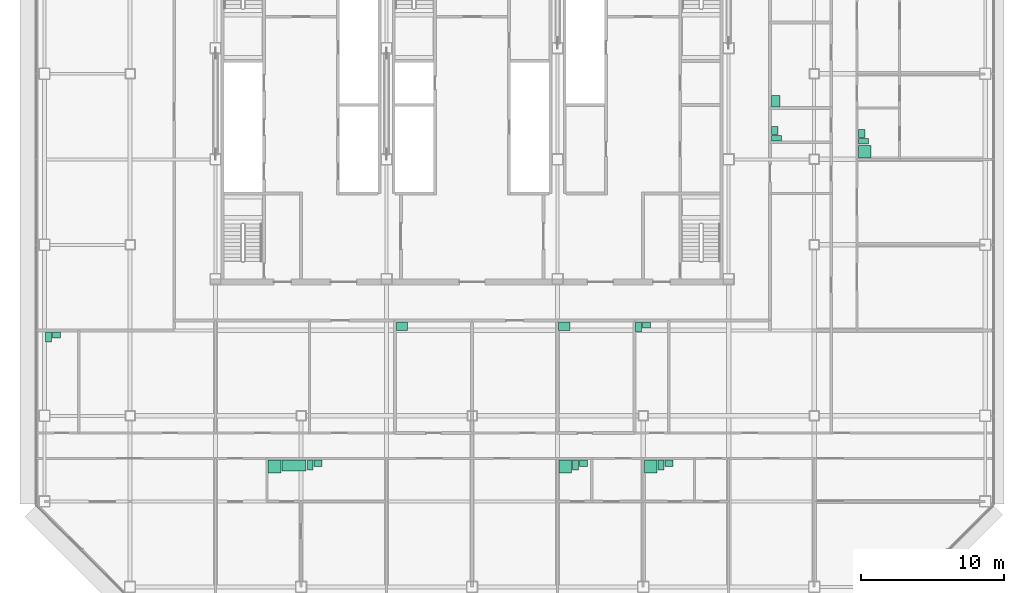
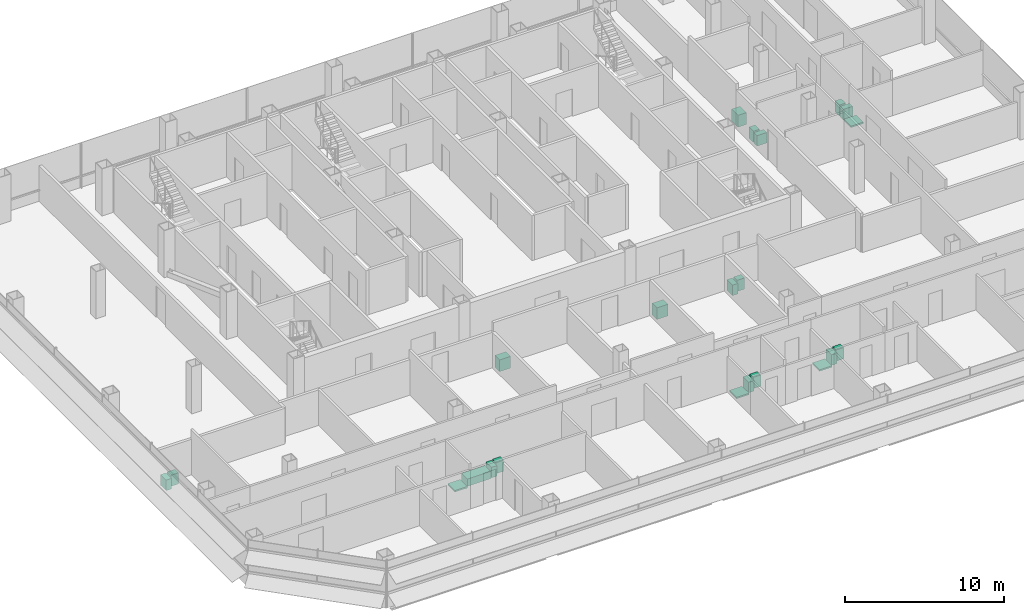
# One storey, part 25 of 25: 22 sanitary terminals.
"""IFC4 building model written with IfcOpenShell, lengths in metres."""

from ifc_helpers import new_model, si_unit, direction, frame, origin, origin_2d, place, context, subcontext, project, spatial, rectangle, extrude, element, save


model = new_model("IFC4")

# Units and contexts
model_context = context("Model", 3, precision=1e-05, world=origin(), true_north=direction((0.0, 1.0)))
body_context = subcontext(model_context, "Body", "Model", "MODEL_VIEW")
ifc_project = project(units=[si_unit("LENGTHUNIT", "METRE"), si_unit("AREAUNIT", "SQUARE_METRE"), si_unit("VOLUMEUNIT", "CUBIC_METRE"), si_unit("PLANEANGLEUNIT", "RADIAN"), si_unit("MASSUNIT", "GRAM", prefix="KILO")], contexts=[model_context])

# Site, building, storey
site_placement = place(None, origin())
site = spatial("IfcSite", under=ifc_project, at=site_placement, CompositionType="ELEMENT")
building_placement = place(site_placement, origin())
building = spatial("IfcBuilding", under=site, at=building_placement, Name="Sorahane Residences", CompositionType="ELEMENT")
storey_placement = place(building_placement, frame((0.0, 0.0, 123.199951171875)))
storey = spatial("IfcBuildingStorey", under=building, at=storey_placement, Name="L27", CompositionType="ELEMENT", Elevation=123.199951171875)

# Sanitary terminals
sanitary_terminal_1_placement = place(storey_placement, frame((10.1298828125, 8.449951171875, 0.0), z_axis=(0.0, 0.0, 1.0), x_axis=(1.0, 0.0, 0.0)))
element("IfcSanitaryTerminal", 1, at=sanitary_terminal_1_placement, inside=storey, Name="Shower tray En-suite bathroom 27A", PredefinedType="SHOWER", context=body_context, shape_type="SweptSolid", body=[
    extrude(rectangle(XDim=0.89990234375, YDim=0.89990234375, at=origin_2d()), origin(), (0.0, 0.0, 1.0), 0.1201171875),
])
sanitary_terminal_2_placement = place(storey_placement, frame((11.510009765625, 8.52490234375, 0.0), z_axis=(0.0, 0.0, 1.0), x_axis=(1.0, 0.0, 0.0)))
element("IfcSanitaryTerminal", 2, at=sanitary_terminal_2_placement, inside=storey, Name="Bath En-suite bathroom 27A", PredefinedType="BATH", context=body_context, shape_type="SweptSolid", body=[
    extrude(rectangle(XDim=1.699951171875, YDim=0.75, at=origin_2d()), origin(), (0.0, 0.0, 1.0), 0.56005859375),
])
sanitary_terminal_3_placement = place(storey_placement, frame((12.639892578125, 8.550048828125, 0.0), z_axis=(0.0, 0.0, 1.0), x_axis=(1.0, 0.0, 0.0)))
element("IfcSanitaryTerminal", 3, at=sanitary_terminal_3_placement, inside=storey, Name="WC pan En-suite bathroom 27A", PredefinedType="TOILETPAN", context=body_context, shape_type="SweptSolid", body=[
    extrude(rectangle(XDim=0.39990234375, YDim=0.699951171875, at=origin_2d()), origin(), (0.0, 0.0, 1.0), 0.800048828125),
])
sanitary_terminal_4_placement = place(storey_placement, frame((13.195068359375, 8.675048828125, 0.0), z_axis=(0.0, 0.0, 1.0), x_axis=(1.0, 0.0, 0.0)))
element("IfcSanitaryTerminal", 4, at=sanitary_terminal_4_placement, inside=storey, Name="Wash basin En-suite bathroom 27A", PredefinedType="WASHHANDBASIN", context=body_context, shape_type="SweptSolid", body=[
    extrude(rectangle(XDim=0.550048828125, YDim=0.449951171875, at=origin_2d()), origin(), (0.0, 0.0, 1.0), 0.85009765625),
])
sanitary_terminal_5_placement = place(storey_placement, frame((-5.719970703125, 17.550048828125, 0.0), z_axis=(0.0, 0.0, 1.0), x_axis=(1.0, 0.0, 0.0)))
element("IfcSanitaryTerminal", 5, at=sanitary_terminal_5_placement, inside=storey, Name="WC pan Powder room 27A", PredefinedType="TOILETPAN", context=body_context, shape_type="SweptSolid", body=[
    extrude(rectangle(XDim=0.39990234375, YDim=0.699951171875, at=origin_2d()), origin(), (0.0, 0.0, 1.0), 0.800048828125),
])
sanitary_terminal_6_placement = place(storey_placement, frame((-5.1650390625, 17.675048828125, 0.0), z_axis=(0.0, 0.0, 1.0), x_axis=(1.0, 0.0, 0.0)))
element("IfcSanitaryTerminal", 6, at=sanitary_terminal_6_placement, inside=storey, Name="Wash basin Powder room 27A", PredefinedType="WASHHANDBASIN", context=body_context, shape_type="SweptSolid", body=[
    extrude(rectangle(XDim=0.550048828125, YDim=0.449951171875, at=origin_2d()), origin(), (0.0, 0.0, 1.0), 0.85009765625),
])
sanitary_terminal_7_placement = place(storey_placement, frame((19.080078125, 18.300048828125, 0.0), z_axis=(0.0, 0.0, 1.0), x_axis=(1.0, 0.0, 0.0)))
element("IfcSanitaryTerminal", 7, at=sanitary_terminal_7_placement, inside=storey, Name="Kitchen sink Kitchen 27A", PredefinedType="SINK", context=body_context, shape_type="SweptSolid", body=[
    extrude(rectangle(XDim=0.800048828125, YDim=0.60009765625, at=origin_2d()), origin(), (0.0, 0.0, 1.0), 0.89990234375),
])
sanitary_terminal_8_placement = place(storey_placement, frame((30.530029296875, 8.449951171875, 0.0), z_axis=(0.0, 0.0, 1.0), x_axis=(1.0, 0.0, 0.0)))
element("IfcSanitaryTerminal", 8, at=sanitary_terminal_8_placement, inside=storey, Name="Shower tray En-suite bathroom 27B", PredefinedType="SHOWER", context=body_context, shape_type="SweptSolid", body=[
    extrude(rectangle(XDim=0.89990234375, YDim=0.89990234375, at=origin_2d()), origin(), (0.0, 0.0, 1.0), 0.1201171875),
])
sanitary_terminal_9_placement = place(storey_placement, frame((31.260009765625, 8.550048828125, 0.0), z_axis=(0.0, 0.0, 1.0), x_axis=(1.0, 0.0, 0.0)))
element("IfcSanitaryTerminal", 9, at=sanitary_terminal_9_placement, inside=storey, Name="WC pan En-suite bathroom 27B", PredefinedType="TOILETPAN", context=body_context, shape_type="SweptSolid", body=[
    extrude(rectangle(XDim=0.39990234375, YDim=0.699951171875, at=origin_2d()), origin(), (0.0, 0.0, 1.0), 0.800048828125),
])
sanitary_terminal_10_placement = place(storey_placement, frame((31.81494140625, 8.675048828125, 0.0), z_axis=(0.0, 0.0, 1.0), x_axis=(1.0, 0.0, 0.0)))
element("IfcSanitaryTerminal", 10, at=sanitary_terminal_10_placement, inside=storey, Name="Wash basin En-suite bathroom 27B", PredefinedType="WASHHANDBASIN", context=body_context, shape_type="SweptSolid", body=[
    extrude(rectangle(XDim=0.550048828125, YDim=0.449951171875, at=origin_2d()), origin(), (0.0, 0.0, 1.0), 0.85009765625),
])
sanitary_terminal_11_placement = place(storey_placement, frame((36.530029296875, 8.449951171875, 0.0), z_axis=(0.0, 0.0, 1.0), x_axis=(1.0, 0.0, 0.0)))
element("IfcSanitaryTerminal", 11, at=sanitary_terminal_11_placement, inside=storey, Name="Shower tray En-suite bathroom 27B-2", PredefinedType="SHOWER", context=body_context, shape_type="SweptSolid", body=[
    extrude(rectangle(XDim=0.89990234375, YDim=0.89990234375, at=origin_2d()), origin(), (0.0, 0.0, 1.0), 0.1201171875),
])
sanitary_terminal_12_placement = place(storey_placement, frame((37.260009765625, 8.550048828125, 0.0), z_axis=(0.0, 0.0, 1.0), x_axis=(1.0, 0.0, 0.0)))
element("IfcSanitaryTerminal", 12, at=sanitary_terminal_12_placement, inside=storey, Name="WC pan En-suite bathroom 27B-2", PredefinedType="TOILETPAN", context=body_context, shape_type="SweptSolid", body=[
    extrude(rectangle(XDim=0.39990234375, YDim=0.699951171875, at=origin_2d()), origin(), (0.0, 0.0, 1.0), 0.800048828125),
])
sanitary_terminal_13_placement = place(storey_placement, frame((37.81494140625, 8.675048828125, 0.0), z_axis=(0.0, 0.0, 1.0), x_axis=(1.0, 0.0, 0.0)))
element("IfcSanitaryTerminal", 13, at=sanitary_terminal_13_placement, inside=storey, Name="Wash basin En-suite bathroom 27B-2", PredefinedType="WASHHANDBASIN", context=body_context, shape_type="SweptSolid", body=[
    extrude(rectangle(XDim=0.550048828125, YDim=0.449951171875, at=origin_2d()), origin(), (0.0, 0.0, 1.0), 0.85009765625),
])
sanitary_terminal_14_placement = place(storey_placement, frame((30.47998046875, 18.300048828125, 0.0), z_axis=(0.0, 0.0, 1.0), x_axis=(1.0, 0.0, 0.0)))
element("IfcSanitaryTerminal", 14, at=sanitary_terminal_14_placement, inside=storey, Name="Kitchen sink Kitchen 27B", PredefinedType="SINK", context=body_context, shape_type="SweptSolid", body=[
    extrude(rectangle(XDim=0.800048828125, YDim=0.60009765625, at=origin_2d()), origin(), (0.0, 0.0, 1.0), 0.89990234375),
])
sanitary_terminal_15_placement = place(storey_placement, frame((35.679931640625, 18.25, 0.0), z_axis=(0.0, 0.0, 1.0), x_axis=(1.0, 0.0, 0.0)))
element("IfcSanitaryTerminal", 15, at=sanitary_terminal_15_placement, inside=storey, Name="WC pan Powder room 27B", PredefinedType="TOILETPAN", context=body_context, shape_type="SweptSolid", body=[
    extrude(rectangle(XDim=0.39990234375, YDim=0.699951171875, at=origin_2d()), origin(), (0.0, 0.0, 1.0), 0.800048828125),
])
sanitary_terminal_16_placement = place(storey_placement, frame((36.235107421875, 18.375, 0.0), z_axis=(0.0, 0.0, 1.0), x_axis=(1.0, 0.0, 0.0)))
element("IfcSanitaryTerminal", 16, at=sanitary_terminal_16_placement, inside=storey, Name="Wash basin Powder room 27B", PredefinedType="WASHHANDBASIN", context=body_context, shape_type="SweptSolid", body=[
    extrude(rectangle(XDim=0.550048828125, YDim=0.449951171875, at=origin_2d()), origin(), (0.0, 0.0, 1.0), 0.85009765625),
])
sanitary_terminal_17_placement = place(storey_placement, frame((51.550048828125, 30.530029296875, 0.0), z_axis=(0.0, 0.0, 1.0), x_axis=(0.0, 1.0, 0.0)))
element("IfcSanitaryTerminal", 17, at=sanitary_terminal_17_placement, inside=storey, Name="Shower tray En-suite bathroom 27C", PredefinedType="SHOWER", context=body_context, shape_type="SweptSolid", body=[
    extrude(rectangle(XDim=0.89990234375, YDim=0.89990234375, at=origin_2d()), origin(), (0.0, 0.0, 1.0), 0.1201171875),
])
sanitary_terminal_18_placement = place(storey_placement, frame((51.449951171875, 31.260009765625, 0.0), z_axis=(0.0, 0.0, 1.0), x_axis=(0.0, 1.0, 0.0)))
element("IfcSanitaryTerminal", 18, at=sanitary_terminal_18_placement, inside=storey, Name="WC pan En-suite bathroom 27C", PredefinedType="TOILETPAN", context=body_context, shape_type="SweptSolid", body=[
    extrude(rectangle(XDim=0.39990234375, YDim=0.699951171875, at=origin_2d()), origin(), (0.0, 0.0, 1.0), 0.800048828125),
])
sanitary_terminal_19_placement = place(storey_placement, frame((51.324951171875, 31.81494140625, 0.0), z_axis=(0.0, 0.0, 1.0), x_axis=(0.0, 1.0, 0.0)))
element("IfcSanitaryTerminal", 19, at=sanitary_terminal_19_placement, inside=storey, Name="Wash basin En-suite bathroom 27C", PredefinedType="WASHHANDBASIN", context=body_context, shape_type="SweptSolid", body=[
    extrude(rectangle(XDim=0.550048828125, YDim=0.449951171875, at=origin_2d()), origin(), (0.0, 0.0, 1.0), 0.85009765625),
])
sanitary_terminal_20_placement = place(storey_placement, frame((45.35009765625, 31.47998046875, 0.0), z_axis=(0.0, 0.0, 1.0), x_axis=(0.0, 1.0, 0.0)))
element("IfcSanitaryTerminal", 20, at=sanitary_terminal_20_placement, inside=storey, Name="WC pan Guest WC 27C", PredefinedType="TOILETPAN", context=body_context, shape_type="SweptSolid", body=[
    extrude(rectangle(XDim=0.39990234375, YDim=0.699951171875, at=origin_2d()), origin(), (0.0, 0.0, 1.0), 0.800048828125),
])
sanitary_terminal_21_placement = place(storey_placement, frame((45.22509765625, 32.034912109375, 0.0), z_axis=(0.0, 0.0, 1.0), x_axis=(0.0, 1.0, 0.0)))
element("IfcSanitaryTerminal", 21, at=sanitary_terminal_21_placement, inside=storey, Name="Wash basin Guest WC 27C", PredefinedType="WASHHANDBASIN", context=body_context, shape_type="SweptSolid", body=[
    extrude(rectangle(XDim=0.550048828125, YDim=0.449951171875, at=origin_2d()), origin(), (0.0, 0.0, 1.0), 0.85009765625),
])
sanitary_terminal_22_placement = place(storey_placement, frame((45.300048828125, 34.080078125, 0.0), z_axis=(0.0, 0.0, 1.0), x_axis=(0.0, 1.0, 0.0)))
element("IfcSanitaryTerminal", 22, at=sanitary_terminal_22_placement, inside=storey, Name="Kitchen sink Kitchen 27C", PredefinedType="SINK", context=body_context, shape_type="SweptSolid", body=[
    extrude(rectangle(XDim=0.800048828125, YDim=0.60009765625, at=origin_2d()), origin(), (0.0, 0.0, 1.0), 0.89990234375),
])

save(model, "model.ifc")
